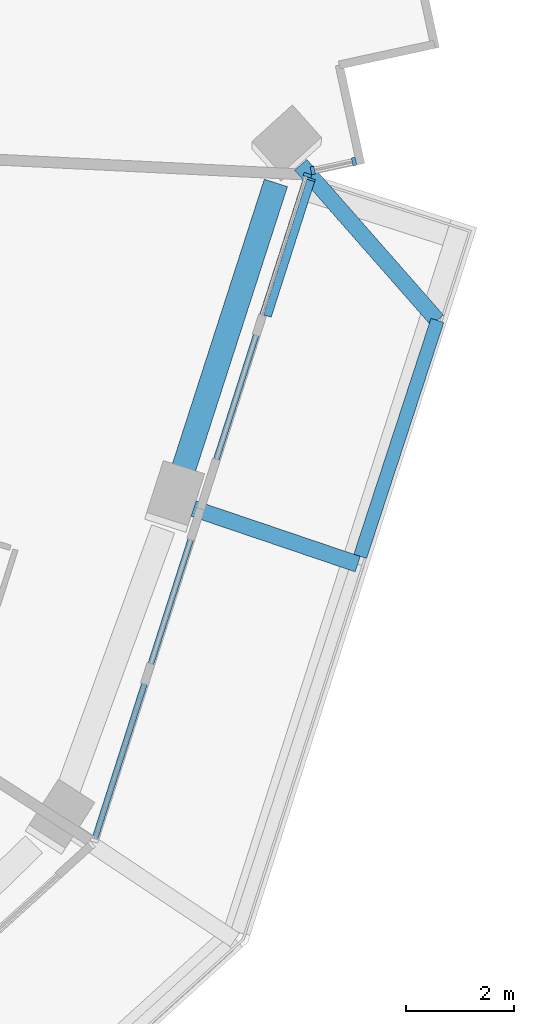
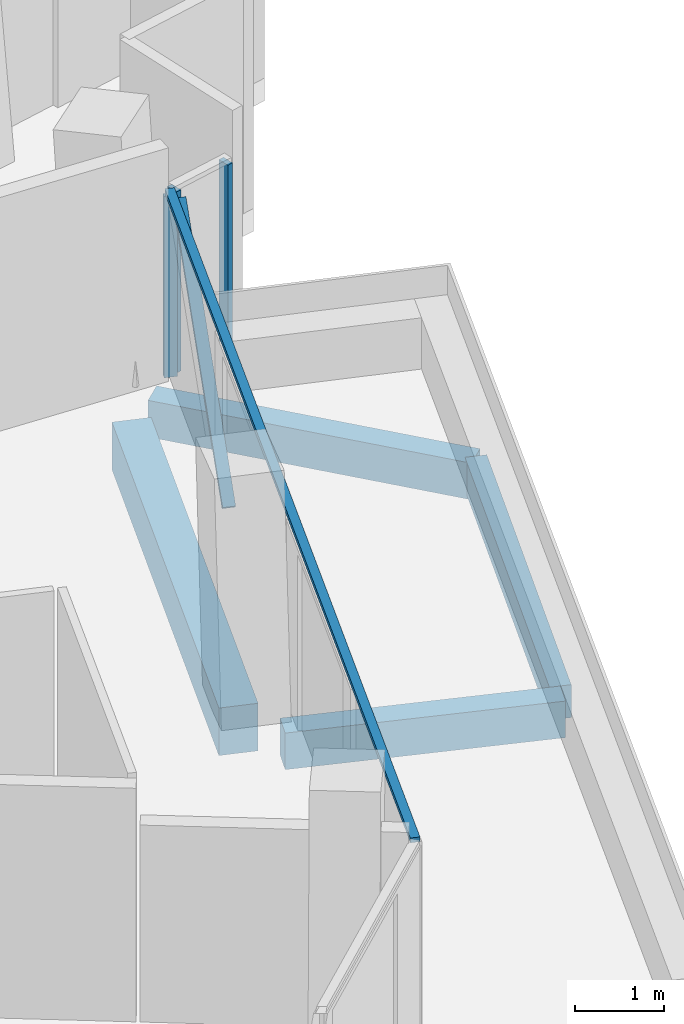
# One storey, part 5 of 23: 5 members, 4 beams, 2 elements without a shape of their own.
"""IFC4 building model written with IfcOpenShell, lengths in metres."""

from ifc_helpers import new_model, si_unit, direction, frame, origin, origin_2d, place, context, subcontext, project, spatial, rectangle, extrude, material, layer, layer_set, material_profile, profile_set, type_object, element, aggregate, save


model = new_model("IFC4")

# Units and contexts
model_context = context("Model", 3, precision=1e-05, world=origin(), true_north=direction((0.0, 1.0)))
body_context = subcontext(model_context, "Body", "Model", "MODEL_VIEW")
ifc_project = project(units=[si_unit("LENGTHUNIT", "METRE"), si_unit("AREAUNIT", "SQUARE_METRE"), si_unit("VOLUMEUNIT", "CUBIC_METRE"), si_unit("PLANEANGLEUNIT", "RADIAN"), si_unit("MASSUNIT", "GRAM", prefix="KILO")], contexts=[model_context])

# Site, building, storey
site_placement = place(None, origin())
site = spatial("IfcSite", under=ifc_project, at=site_placement, CompositionType="ELEMENT")
building_placement = place(site_placement, origin())
building = spatial("IfcBuilding", under=site, at=building_placement, Name="Verdalira Terraces Hotel", CompositionType="ELEMENT")
storey_placement = place(building_placement, frame((0.0, 0.0, 205.5)))
storey = spatial("IfcBuildingStorey", under=building, at=storey_placement, Name="L50", CompositionType="ELEMENT", Elevation=205.5)

# Beams
ifc_material_1 = material(Name="Concrete C40", Category="concrete")
ifc_material_profile_1 = material_profile(ifc_material_1, rectangle(XDim=0.300049, YDim=0.5, at=origin_2d()), Name="RC 300X500")
ifc_profile_set_1 = profile_set([ifc_material_profile_1], Name="Concrete C40")
beam_type_1 = type_object("IfcBeamType", Name="Balcony cantilever beam RC 300X500 C40", PredefinedType="BEAM", material=ifc_profile_set_1)
beam_1_placement = place(storey_placement, frame((22.901123, -7.37085, -0.560059), z_axis=(0.947092604, -0.320960432, 0.0), x_axis=(0.320960432, 0.947092604, 0.0)))
element("IfcBeam", 1, at=beam_1_placement, inside=storey, type_object=beam_type_1, Name="Balcony cantilever beam R26-4", PredefinedType="BEAM", context=body_context, shape_type="SweptSolid", body=[
    extrude(rectangle(XDim=0.300049, YDim=0.5, at=origin_2d()), origin(), (0.0, 0.0, 1.0), 3.200928),
])
beam_2_placement = place(storey_placement, frame((24.88208, -1.025391, -0.560059), z_axis=(0.65972464, -0.751507418, 0.0), x_axis=(0.751507418, 0.65972464, 0.0)))
element("IfcBeam", 2, at=beam_2_placement, inside=storey, type_object=beam_type_1, Name="Balcony cantilever beam R26-5", PredefinedType="BEAM", context=body_context, shape_type="SweptSolid", body=[
    extrude(rectangle(XDim=0.300049, YDim=0.5, at=origin_2d()), origin(), (0.0, 0.0, 1.0), 3.82251),
])
ifc_material_2 = material(Name="Concrete C40", Category="concrete")
ifc_material_profile_2 = material_profile(ifc_material_2, rectangle(XDim=0.25, YDim=0.449951, at=origin_2d()), Name="RC 250X450")
ifc_profile_set_2 = profile_set([ifc_material_profile_2], Name="Concrete C40")
beam_type_2 = type_object("IfcBeamType", Name="Balcony edge beam RC 250X450 C40", PredefinedType="BEAM", material=ifc_profile_set_2)
beam_3_placement = place(storey_placement, frame((25.979248, -8.255615, -0.534912), z_axis=(0.310726829, 0.950499257, 0.0), x_axis=(-0.950499257, 0.310726829, 0.0)))
element("IfcBeam", 3, at=beam_3_placement, inside=storey, type_object=beam_type_2, Name="Balcony edge beam R26-4", PredefinedType="BEAM", context=body_context, shape_type="SweptSolid", body=[
    extrude(rectangle(XDim=0.25, YDim=0.449951, at=origin_2d()), origin(), (0.0, 0.0, 1.0), 4.584717),
])

# Curtain wall, members
ifc_material_3 = material(Name="Clear glass", Category="glass")
ifc_layer_1 = layer(ifc_material_3, 0.14990234375)
ifc_layer_set_1 = layer_set([ifc_layer_1], Name="CW1 curtain wall")
curtain_wall_type_1 = type_object("IfcCurtainWallType", Name="CW1 curtain wall", PredefinedType="NOTDEFINED", material=ifc_layer_set_1)
curtain_wall_1_placement = place(storey_placement, origin())
curtain_wall_1 = element("IfcCurtainWall", 4, at=curtain_wall_1_placement, inside=storey, type_object=curtain_wall_type_1, Name="CW1 curtain wall L50 edge 27", PredefinedType="NOTDEFINED")
ifc_material_4 = material(Name="Terracotta frame", Category="masonry")
ifc_material_profile_3 = material_profile(ifc_material_4, rectangle(XDim=0.060059, YDim=0.149902, at=origin_2d()), Name="MU 60x150")
ifc_profile_set_3 = profile_set([ifc_material_profile_3], Name="Terracotta frame")
member_type_1 = type_object("IfcMemberType", Name="CW1 mullion 60x150", PredefinedType="MULLION", material=ifc_profile_set_3)
member_1_placement = place(storey_placement, frame((25.004395, -1.215088, 0.0), z_axis=(0.0, 0.0, 1.0), x_axis=(0.305030519, 0.952342576, 0.0)))
member_1 = element("IfcMember", 5, at=member_1_placement, type_object=member_type_1, Name="CW1 mullion", PredefinedType="MULLION", context=body_context, shape_type="SweptSolid", body=[
    extrude(rectangle(XDim=0.060059, YDim=0.149902, at=origin_2d()), origin(), (0.0, 0.0, 1.0), 2.475098),
])
ifc_material_5 = material(Name="Terracotta frame", Category="masonry")
ifc_material_profile_4 = material_profile(ifc_material_5, rectangle(XDim=0.110107, YDim=0.064941, at=origin_2d()), Name="TR 65x110")
ifc_profile_set_4 = profile_set([ifc_material_profile_4], Name="Terracotta frame")
member_type_2 = type_object("IfcMemberType", Name="CW1 transom 65x110", PredefinedType="USERDEFINED", material=ifc_profile_set_4)
member_2_placement = place(storey_placement, frame((21.060303, -13.528564, 2.507568), z_axis=(0.305032729, 0.952341868, 0.0), x_axis=(-0.952341868, 0.305032729, 0.0)))
member_2 = element("IfcMember", 6, at=member_2_placement, type_object=member_type_2, Name="CW1 transom", ObjectType="TRANSOM", PredefinedType="USERDEFINED", context=body_context, shape_type="SweptSolid", body=[
    extrude(rectangle(XDim=0.110107, YDim=0.064941, at=origin_2d()), origin(), (0.0, 0.0, 1.0), 12.959717),
])

ifc_material_6 = material(Name="Clear glass", Category="glass")
ifc_layer_2 = layer(ifc_material_6, 0.14990234375)
ifc_layer_set_2 = layer_set([ifc_layer_2], Name="CW2 curtain wall")
curtain_wall_type_2 = type_object("IfcCurtainWallType", Name="CW2 curtain wall", PredefinedType="NOTDEFINED", material=ifc_layer_set_2)
curtain_wall_2_placement = place(storey_placement, origin())
curtain_wall_2 = element("IfcCurtainWall", 7, at=curtain_wall_2_placement, inside=storey, type_object=curtain_wall_type_2, Name="CW2 curtain wall L50 edge 28", PredefinedType="NOTDEFINED")
ifc_material_7 = material(Name="Terracotta frame", Category="masonry")
ifc_material_profile_5 = material_profile(ifc_material_7, rectangle(XDim=0.070068, YDim=0.149902, at=origin_2d()), Name="MU 70x150")
ifc_profile_set_5 = profile_set([ifc_material_profile_5], Name="Terracotta frame")
member_type_3 = type_object("IfcMemberType", Name="CW2 mullion 70x150", PredefinedType="MULLION", material=ifc_profile_set_5)
member_3_placement = place(storey_placement, frame((25.103271, -1.128662, 0.0), z_axis=(0.0, 0.0, 1.0), x_axis=(0.977268124, 0.21200711, 0.0)))
member_3 = element("IfcMember", 8, at=member_3_placement, type_object=member_type_3, Name="CW2 mullion", PredefinedType="MULLION", context=body_context, shape_type="SweptSolid", body=[
    extrude(rectangle(XDim=0.070068, YDim=0.149902, at=origin_2d()), origin(), (0.0, 0.0, 1.0), 2.475098),
])
member_4_placement = place(storey_placement, frame((25.865479, -0.963135, 0.0), z_axis=(0.0, 0.0, 1.0), x_axis=(0.977268124, 0.21200711, 0.0)))
member_4 = element("IfcMember", 9, at=member_4_placement, type_object=member_type_3, Name="CW2 mullion", PredefinedType="MULLION", context=body_context, shape_type="SweptSolid", body=[
    extrude(rectangle(XDim=0.070068, YDim=0.149902, at=origin_2d()), origin(), (0.0, 0.0, 1.0), 2.475098),
])
aggregate(curtain_wall_2, [member_3, member_4])

# Member
ifc_material_8 = material(Name="Terracotta frame", Category="masonry")
ifc_material_profile_6 = material_profile(ifc_material_8, rectangle(XDim=0.149902, YDim=0.060059, at=origin_2d()), Name="GB 60x150")
ifc_profile_set_6 = profile_set([ifc_material_profile_6], Name="Terracotta frame")
member_type_4 = type_object("IfcMemberType", Name="Diagonal glazing bar 60x150", PredefinedType="USERDEFINED", material=ifc_profile_set_6)
member_5_placement = place(storey_placement, frame((24.270508, -3.797607, 0.023438), z_axis=(0.224076102, 0.699453142, 0.678642176), x_axis=(-0.952324859, 0.305085829, 0.0)))
member_5 = element("IfcMember", 10, at=member_5_placement, type_object=member_type_4, Name="Diagonal glazing bar", ObjectType="GLAZING BAR", PredefinedType="USERDEFINED", context=body_context, shape_type="SweptSolid", body=[
    extrude(rectangle(XDim=0.149902, YDim=0.060059, at=origin_2d()), origin(), (0.0, 0.0, 1.0), 3.578125),
])

aggregate(curtain_wall_1, [member_1, member_2, member_5])

# Beam
ifc_material_9 = material(Name="Concrete C50", Category="concrete")
ifc_material_profile_7 = material_profile(ifc_material_9, rectangle(XDim=0.449951, YDim=0.649902, at=origin_2d()), Name="RC 450X650")
ifc_profile_set_7 = profile_set([ifc_material_profile_7], Name="Concrete C50")
beam_type_3 = type_object("IfcBeamType", Name="Spandrel beam RC 450X650 C50", PredefinedType="SPANDREL", material=ifc_profile_set_7)
beam_4_placement = place(storey_placement, frame((22.668701, -6.78833, -0.63501), z_axis=(0.307280283, 0.951619056, 0.0), x_axis=(-0.951619056, 0.307280283, 0.0)))
element("IfcBeam", 11, at=beam_4_placement, inside=storey, type_object=beam_type_3, Name="Spandrel beam B16", PredefinedType="SPANDREL", context=body_context, shape_type="SweptSolid", body=[
    extrude(rectangle(XDim=0.449951, YDim=0.649902, at=origin_2d()), origin(), (0.0, 0.0, 1.0), 5.706299),
])

save(model, "model.ifc")
